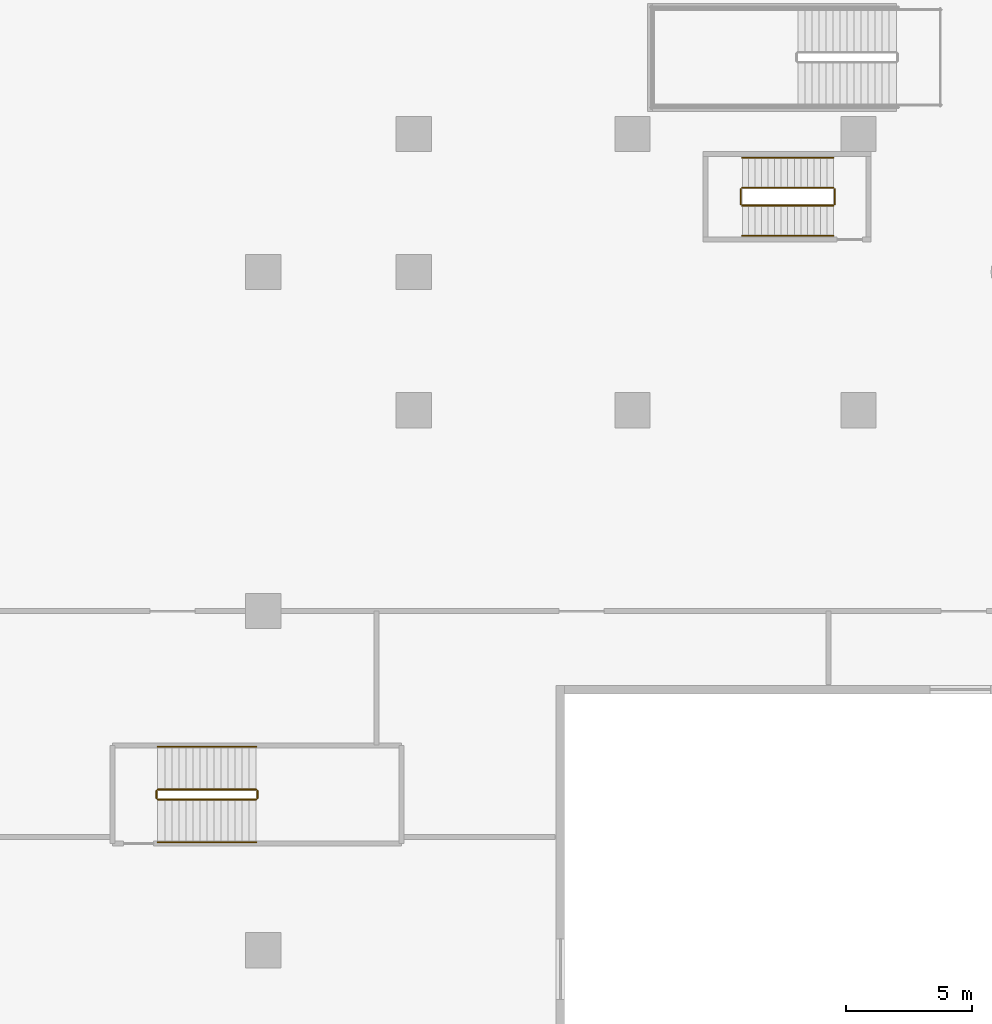
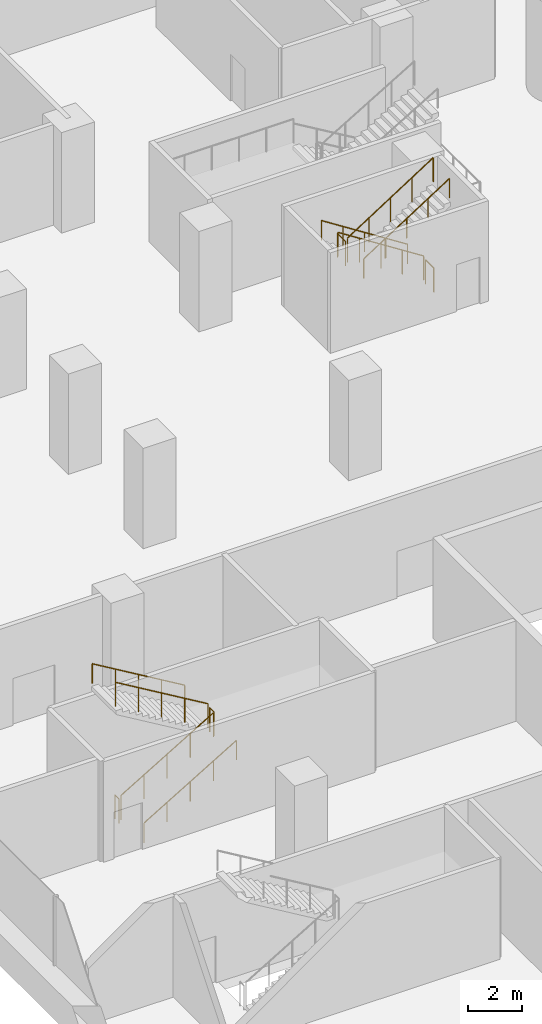
# One storey, part 36 of 44: 12 railings.
"""IFC4 building model written with IfcOpenShell, lengths in metres."""

from ifc_helpers import new_model, si_unit, direction, frame, origin, origin_2d, place, context, subcontext, project, spatial, circle, extrude, material, type_object, element, save


model = new_model("IFC4")

# Units and contexts
model_context = context("Model", 3, precision=1e-05, world=origin(), true_north=direction((0.0, 1.0)))
body_context = subcontext(model_context, "Body", "Model", "MODEL_VIEW")
ifc_project = project(units=[si_unit("LENGTHUNIT", "METRE"), si_unit("AREAUNIT", "SQUARE_METRE"), si_unit("VOLUMEUNIT", "CUBIC_METRE"), si_unit("PLANEANGLEUNIT", "RADIAN"), si_unit("MASSUNIT", "GRAM", prefix="KILO")], contexts=[model_context])

# Site, building, storey
site_placement = place(None, origin())
site = spatial("IfcSite", under=ifc_project, at=site_placement, CompositionType="ELEMENT")
building_placement = place(site_placement, origin())
building = spatial("IfcBuilding", under=site, at=building_placement, Name="Tamarind Cross Interchange Tower", CompositionType="ELEMENT")
storey_placement = place(building_placement, frame((0.0, 0.0, 15.0)))
storey = spatial("IfcBuildingStorey", under=building, at=storey_placement, Name="L02", CompositionType="ELEMENT", Elevation=15.0)

# Railings
ifc_material_1 = material(Name="Public stair guard")
railing_type_1 = type_object("IfcRailingType", Name="Public stair guard", PredefinedType="GUARDRAIL", material=ifc_material_1)
railing_1_placement = place(storey_placement, frame((-58.199951171875, -21.0, 0.166748046875)))
element("IfcRailing", 1, at=railing_1_placement, inside=storey, type_object=railing_type_1, Name="L02 XS-P08 stair guard 1", PredefinedType="GUARDRAIL", context=body_context, shape_type="SweptSolid", body=[
    extrude(circle(Radius=0.02392578125, at=origin_2d()), frame((0.0, 0.0, 1.076171875), z_axis=(0.859296244711, 0.0, 0.511478214419), x_axis=(0.0, 1.0, 0.0)), (0.0, 0.0, 1.0), 4.561767578125),
    extrude(circle(Radius=0.02099609375, at=origin_2d()), origin(), (0.0, 0.0, 1.0), 1.052001953125),
    extrude(circle(Radius=0.02099609375, at=origin_2d()), frame((0.97998046875, 0.0, 0.583251953125)), (0.0, 0.0, 1.0), 1.052001953125),
    extrude(circle(Radius=0.02099609375, at=origin_2d()), frame((1.9599609375, 0.0, 1.16650390625)), (0.0, 0.0, 1.0), 1.052001953125),
    extrude(circle(Radius=0.02099609375, at=origin_2d()), frame((2.93994140625, 0.0, 1.75)), (0.0, 0.0, 1.0), 1.052001953125),
    extrude(circle(Radius=0.02099609375, at=origin_2d()), frame((3.919921875, 0.0, 2.333251953125)), (0.0, 0.0, 1.0), 1.052001953125),
])
railing_2_placement = place(storey_placement, frame((-54.22998046875, -20.949951171875, 2.5)))
element("IfcRailing", 2, at=railing_2_placement, inside=storey, type_object=railing_type_1, Name="L02 XS-P08 stair guard 2", PredefinedType="GUARDRAIL", context=body_context, shape_type="SweptSolid", body=[
    extrude(circle(Radius=0.02392578125, at=origin_2d()), frame((0.0, 0.0, 1.076171875), z_axis=(0.0, 1.0, 0.0), x_axis=(-1.0, 0.0, 0.0)), (0.0, 0.0, 1.0), 0.300048828125),
    extrude(circle(Radius=0.02099609375, at=origin_2d()), origin(), (0.0, 0.0, 1.0), 1.052001953125),
    extrude(circle(Radius=0.02099609375, at=origin_2d()), frame((0.0, 0.300048828125, 0.0)), (0.0, 0.0, 1.0), 1.052001953125),
])
railing_3_placement = place(storey_placement, frame((-54.280029296875, -20.60009765625, 2.666748046875)))
element("IfcRailing", 3, at=railing_3_placement, inside=storey, type_object=railing_type_1, Name="L02 XS-P08 stair guard 3", PredefinedType="GUARDRAIL", context=body_context, shape_type="SweptSolid", body=[
    extrude(circle(Radius=0.02392578125, at=origin_2d()), frame((0.0, 0.0, 1.076171875), z_axis=(-0.859296244711, 0.0, 0.511478214419), x_axis=(0.0, -1.0, 0.0)), (0.0, 0.0, 1.0), 4.561767578125),
    extrude(circle(Radius=0.02099609375, at=origin_2d()), origin(), (0.0, 0.0, 1.0), 1.052001953125),
    extrude(circle(Radius=0.02099609375, at=origin_2d()), frame((-0.97998046875, 0.0, 0.583251953125)), (0.0, 0.0, 1.0), 1.052001953125),
    extrude(circle(Radius=0.02099609375, at=origin_2d()), frame((-1.9599609375, 0.0, 1.16650390625)), (0.0, 0.0, 1.0), 1.052001953125),
    extrude(circle(Radius=0.02099609375, at=origin_2d()), frame((-2.93994140625, 0.0, 1.75)), (0.0, 0.0, 1.0), 1.052001953125),
    extrude(circle(Radius=0.02099609375, at=origin_2d()), frame((-3.919921875, 0.0, 2.333251953125)), (0.0, 0.0, 1.0), 1.052001953125),
])
railing_4_placement = place(storey_placement, frame((-58.25, -20.949951171875, 0.0)))
element("IfcRailing", 4, at=railing_4_placement, inside=storey, type_object=railing_type_1, Name="L02 XS-P08 stair guard 4", PredefinedType="GUARDRAIL", context=body_context, shape_type="SweptSolid", body=[
    extrude(circle(Radius=0.02392578125, at=origin_2d()), frame((0.0, 0.0, 1.076171875), z_axis=(0.0, 1.0, 0.0), x_axis=(-1.0, 0.0, 0.0)), (0.0, 0.0, 1.0), 0.300048828125),
    extrude(circle(Radius=0.02099609375, at=origin_2d()), origin(), (0.0, 0.0, 1.0), 1.052001953125),
    extrude(circle(Radius=0.02099609375, at=origin_2d()), frame((0.0, 0.300048828125, 0.0)), (0.0, 0.0, 1.0), 1.052001953125),
])
ifc_material_2 = material(Name="Public stair handrail")
railing_type_2 = type_object("IfcRailingType", Name="Public stair handrail", PredefinedType="HANDRAIL", material=ifc_material_2)
railing_5_placement = place(storey_placement, frame((-58.199951171875, -22.699951171875, 0.166748046875)))
element("IfcRailing", 5, at=railing_5_placement, inside=storey, type_object=railing_type_2, Name="L02 XS-P08 stair handrail 1", PredefinedType="HANDRAIL", context=body_context, shape_type="SweptSolid", body=[
    extrude(circle(Radius=0.02392578125, at=origin_2d()), frame((0.0, 0.0, 0.8759765625), z_axis=(0.859296244711, 0.0, 0.511478214419), x_axis=(0.0, 1.0, 0.0)), (0.0, 0.0, 1.0), 4.561767578125),
    extrude(circle(Radius=0.02099609375, at=origin_2d()), origin(), (0.0, 0.0, 1.0), 0.851806640625),
    extrude(circle(Radius=0.02099609375, at=origin_2d()), frame((0.97998046875, 0.0, 0.583251953125)), (0.0, 0.0, 1.0), 0.851806640625),
    extrude(circle(Radius=0.02099609375, at=origin_2d()), frame((1.9599609375, 0.0, 1.16650390625)), (0.0, 0.0, 1.0), 0.851806640625),
    extrude(circle(Radius=0.02099609375, at=origin_2d()), frame((2.93994140625, 0.0, 1.75)), (0.0, 0.0, 1.0), 0.851806640625),
    extrude(circle(Radius=0.02099609375, at=origin_2d()), frame((3.919921875, 0.0, 2.333251953125)), (0.0, 0.0, 1.0), 0.851806640625),
])
railing_6_placement = place(storey_placement, frame((-54.280029296875, -18.89990234375, 2.666748046875)))
element("IfcRailing", 6, at=railing_6_placement, inside=storey, type_object=railing_type_2, Name="L02 XS-P08 stair handrail 2", PredefinedType="HANDRAIL", context=body_context, shape_type="SweptSolid", body=[
    extrude(circle(Radius=0.02392578125, at=origin_2d()), frame((0.0, 0.0, 0.8759765625), z_axis=(-0.859296244711, 0.0, 0.511478214419), x_axis=(0.0, -1.0, 0.0)), (0.0, 0.0, 1.0), 4.561767578125),
    extrude(circle(Radius=0.02099609375, at=origin_2d()), origin(), (0.0, 0.0, 1.0), 0.851806640625),
    extrude(circle(Radius=0.02099609375, at=origin_2d()), frame((-0.97998046875, 0.0, 0.583251953125)), (0.0, 0.0, 1.0), 0.851806640625),
    extrude(circle(Radius=0.02099609375, at=origin_2d()), frame((-1.9599609375, 0.0, 1.16650390625)), (0.0, 0.0, 1.0), 0.851806640625),
    extrude(circle(Radius=0.02099609375, at=origin_2d()), frame((-2.93994140625, 0.0, 1.75)), (0.0, 0.0, 1.0), 0.851806640625),
    extrude(circle(Radius=0.02099609375, at=origin_2d()), frame((-3.919921875, 0.0, 2.333251953125)), (0.0, 0.0, 1.0), 0.851806640625),
])
ifc_material_3 = material(Name="Stair guard")
railing_type_3 = type_object("IfcRailingType", Name="Stair guard", PredefinedType="GUARDRAIL", material=ifc_material_3)
railing_7_placement = place(storey_placement, frame((-31.300048828125, 3.35009765625, 0.166748046875)))
element("IfcRailing", 7, at=railing_7_placement, inside=storey, type_object=railing_type_3, Name="L02 ST5 stair guard 1", PredefinedType="GUARDRAIL", context=body_context, shape_type="SweptSolid", body=[
    extrude(circle(Radius=0.02392578125, at=origin_2d()), frame((0.0, 0.0, 1.076171875), z_axis=(-0.841880454617, 0.0, 0.539664062296), x_axis=(0.0, -1.0, 0.0)), (0.0, 0.0, 1.0), 4.323486328125),
    extrude(circle(Radius=0.02099609375, at=origin_2d()), origin(), (0.0, 0.0, 1.0), 1.052001953125),
    extrude(circle(Radius=0.02099609375, at=origin_2d()), frame((-0.909912109375, 0.0, 0.583251953125)), (0.0, 0.0, 1.0), 1.052001953125),
    extrude(circle(Radius=0.02099609375, at=origin_2d()), frame((-1.81982421875, 0.0, 1.16650390625)), (0.0, 0.0, 1.0), 1.052001953125),
    extrude(circle(Radius=0.02099609375, at=origin_2d()), frame((-2.72998046875, 0.0, 1.75)), (0.0, 0.0, 1.0), 1.052001953125),
    extrude(circle(Radius=0.02099609375, at=origin_2d()), frame((-3.639892578125, 0.0, 2.333251953125)), (0.0, 0.0, 1.0), 1.052001953125),
])
railing_8_placement = place(storey_placement, frame((-34.989990234375, 3.300048828125, 2.5)))
element("IfcRailing", 8, at=railing_8_placement, inside=storey, type_object=railing_type_3, Name="L02 ST5 stair guard 2", PredefinedType="GUARDRAIL", context=body_context, shape_type="SweptSolid", body=[
    extrude(circle(Radius=0.02392578125, at=origin_2d()), frame((0.0, 0.0, 1.076171875), z_axis=(0.0, -1.0, 0.0), x_axis=(1.0, 0.0, 0.0)), (0.0, 0.0, 1.0), 0.60009765625),
    extrude(circle(Radius=0.02099609375, at=origin_2d()), origin(), (0.0, 0.0, 1.0), 1.052001953125),
    extrude(circle(Radius=0.02099609375, at=origin_2d()), frame((0.0, -0.60009765625, 0.0)), (0.0, 0.0, 1.0), 1.052001953125),
])
railing_9_placement = place(storey_placement, frame((-34.93994140625, 2.64990234375, 2.666748046875)))
element("IfcRailing", 9, at=railing_9_placement, inside=storey, type_object=railing_type_3, Name="L02 ST5 stair guard 3", PredefinedType="GUARDRAIL", context=body_context, shape_type="SweptSolid", body=[
    extrude(circle(Radius=0.02392578125, at=origin_2d()), frame((0.0, 0.0, 1.076171875), z_axis=(0.841880454617, 0.0, 0.539664062296), x_axis=(0.0, 1.0, 0.0)), (0.0, 0.0, 1.0), 4.323486328125),
    extrude(circle(Radius=0.02099609375, at=origin_2d()), origin(), (0.0, 0.0, 1.0), 1.052001953125),
    extrude(circle(Radius=0.02099609375, at=origin_2d()), frame((0.909912109375, 0.0, 0.583251953125)), (0.0, 0.0, 1.0), 1.052001953125),
    extrude(circle(Radius=0.02099609375, at=origin_2d()), frame((1.81982421875, 0.0, 1.16650390625)), (0.0, 0.0, 1.0), 1.052001953125),
    extrude(circle(Radius=0.02099609375, at=origin_2d()), frame((2.72998046875, 0.0, 1.75)), (0.0, 0.0, 1.0), 1.052001953125),
    extrude(circle(Radius=0.02099609375, at=origin_2d()), frame((3.639892578125, 0.0, 2.333251953125)), (0.0, 0.0, 1.0), 1.052001953125),
])
railing_10_placement = place(storey_placement, frame((-31.25, 3.300048828125, 0.0)))
element("IfcRailing", 10, at=railing_10_placement, inside=storey, type_object=railing_type_3, Name="L02 ST5 stair guard 4", PredefinedType="GUARDRAIL", context=body_context, shape_type="SweptSolid", body=[
    extrude(circle(Radius=0.02392578125, at=origin_2d()), frame((0.0, 0.0, 1.076171875), z_axis=(0.0, -1.0, 0.0), x_axis=(1.0, 0.0, 0.0)), (0.0, 0.0, 1.0), 0.60009765625),
    extrude(circle(Radius=0.02099609375, at=origin_2d()), origin(), (0.0, 0.0, 1.0), 1.052001953125),
    extrude(circle(Radius=0.02099609375, at=origin_2d()), frame((0.0, -0.60009765625, 0.0)), (0.0, 0.0, 1.0), 1.052001953125),
])
ifc_material_4 = material(Name="Stair handrail")
railing_type_4 = type_object("IfcRailingType", Name="Stair handrail", PredefinedType="HANDRAIL", material=ifc_material_4)
railing_11_placement = place(storey_placement, frame((-31.300048828125, 4.550048828125, 0.166748046875)))
element("IfcRailing", 11, at=railing_11_placement, inside=storey, type_object=railing_type_4, Name="L02 ST5 stair handrail 1", PredefinedType="HANDRAIL", context=body_context, shape_type="SweptSolid", body=[
    extrude(circle(Radius=0.02392578125, at=origin_2d()), frame((0.0, 0.0, 0.8759765625), z_axis=(-0.841880454617, 0.0, 0.539664062296), x_axis=(0.0, -1.0, 0.0)), (0.0, 0.0, 1.0), 4.323486328125),
    extrude(circle(Radius=0.02099609375, at=origin_2d()), origin(), (0.0, 0.0, 1.0), 0.851806640625),
    extrude(circle(Radius=0.02099609375, at=origin_2d()), frame((-0.909912109375, 0.0, 0.583251953125)), (0.0, 0.0, 1.0), 0.851806640625),
    extrude(circle(Radius=0.02099609375, at=origin_2d()), frame((-1.81982421875, 0.0, 1.16650390625)), (0.0, 0.0, 1.0), 0.851806640625),
    extrude(circle(Radius=0.02099609375, at=origin_2d()), frame((-2.72998046875, 0.0, 1.75)), (0.0, 0.0, 1.0), 0.851806640625),
    extrude(circle(Radius=0.02099609375, at=origin_2d()), frame((-3.639892578125, 0.0, 2.333251953125)), (0.0, 0.0, 1.0), 0.851806640625),
])
railing_12_placement = place(storey_placement, frame((-34.93994140625, 1.449951171875, 2.666748046875)))
element("IfcRailing", 12, at=railing_12_placement, inside=storey, type_object=railing_type_4, Name="L02 ST5 stair handrail 2", PredefinedType="HANDRAIL", context=body_context, shape_type="SweptSolid", body=[
    extrude(circle(Radius=0.02392578125, at=origin_2d()), frame((0.0, 0.0, 0.8759765625), z_axis=(0.841880454617, 0.0, 0.539664062296), x_axis=(0.0, 1.0, 0.0)), (0.0, 0.0, 1.0), 4.323486328125),
    extrude(circle(Radius=0.02099609375, at=origin_2d()), origin(), (0.0, 0.0, 1.0), 0.851806640625),
    extrude(circle(Radius=0.02099609375, at=origin_2d()), frame((0.909912109375, 0.0, 0.583251953125)), (0.0, 0.0, 1.0), 0.851806640625),
    extrude(circle(Radius=0.02099609375, at=origin_2d()), frame((1.81982421875, 0.0, 1.16650390625)), (0.0, 0.0, 1.0), 0.851806640625),
    extrude(circle(Radius=0.02099609375, at=origin_2d()), frame((2.72998046875, 0.0, 1.75)), (0.0, 0.0, 1.0), 0.851806640625),
    extrude(circle(Radius=0.02099609375, at=origin_2d()), frame((3.639892578125, 0.0, 2.333251953125)), (0.0, 0.0, 1.0), 0.851806640625),
])

save(model, "model.ifc")
